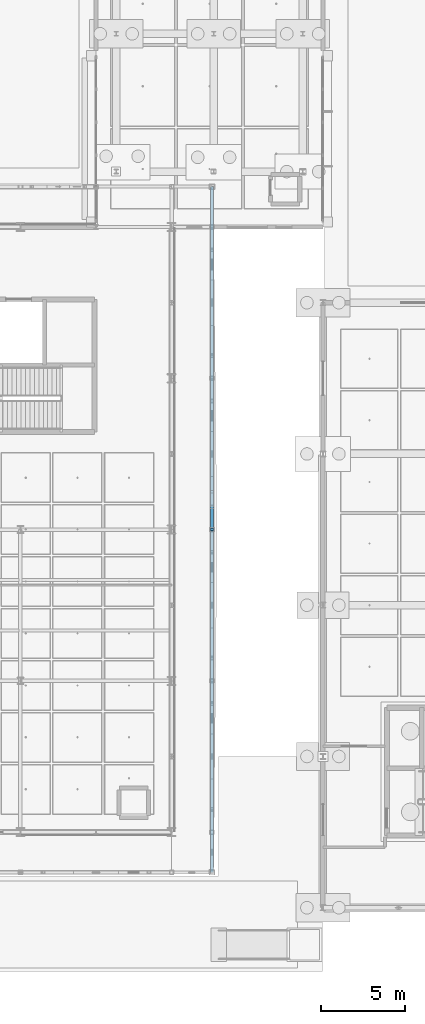
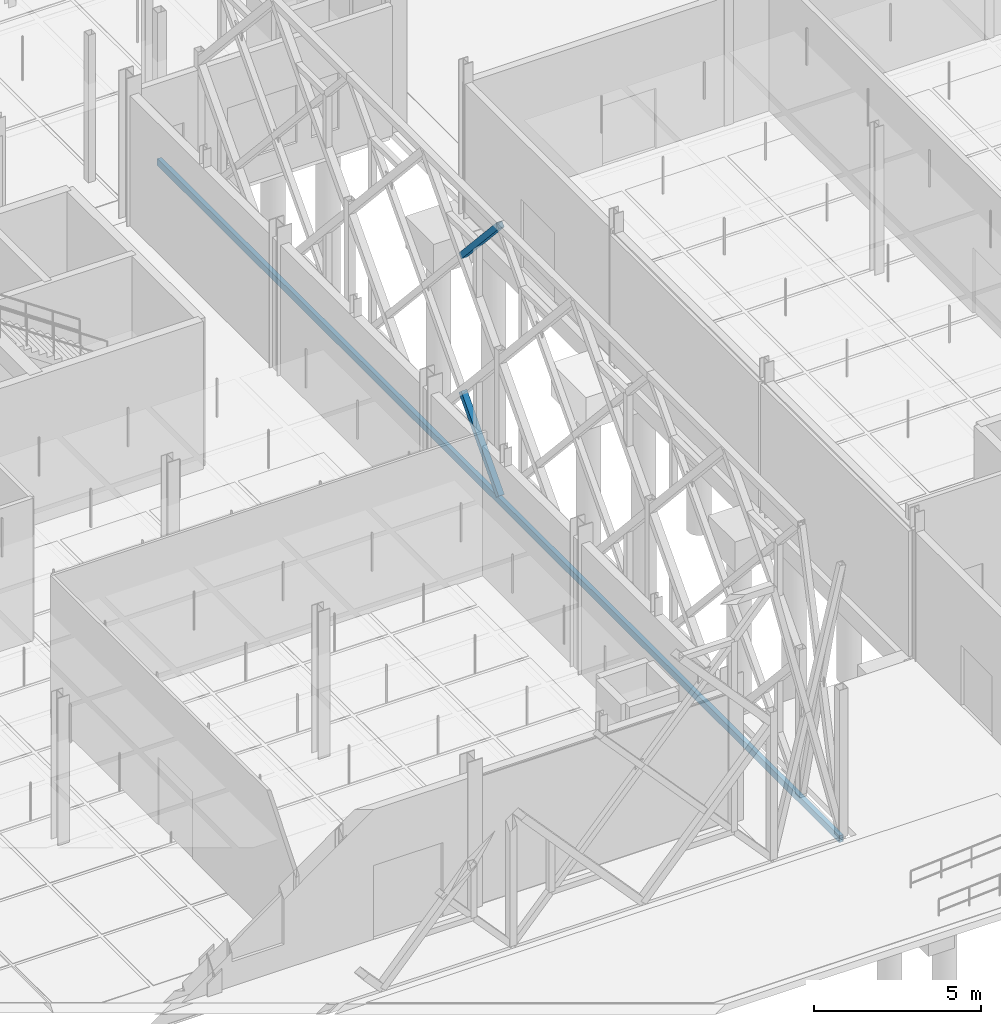
# One storey, part 41 of 180: 2 members, 1 beam.
"""IFC4 building model written with IfcOpenShell, lengths in metres."""

import ifcopenshell
import ifcopenshell.guid

model = None  # the IFC model being written
_history = None  # IfcOwnerHistory: only IFC2X3 demands one
_inside = {}  # id of a spatial element -> (the spatial element, [elements in it])
_under = {}  # id of a project, library or spatial element -> (it, [spatial elements below it])
_declared = {}  # id of a project -> (the project, [libraries it declares])
_typed = {}  # id of a type object -> (the type object, [elements of that type])
_made_of = {}  # id of a material, layer set ... -> (it, [elements and type objects made of it])


def new_model(schema):
    """Start an empty IFC model of exactly this schema.

    Asked for "IFC4X3", IfcOpenShell would pick the latest addendum, in which some entities
    have other attributes; the version numbers below select the first issue.
    IFC2X3 requires an IfcOwnerHistory on every rooted entity: one is made here for all.
    """
    global model, _history
    if schema == "IFC4X3":
        model = ifcopenshell.file(schema_version=(4, 3, 0, 0))
    else:
        model = ifcopenshell.file(schema=schema)
    _inside.clear()
    _under.clear()
    _declared.clear()
    _typed.clear()
    _made_of.clear()
    _history = None
    if model.schema == "IFC2X3":
        org = make("IfcOrganization", Name="unknown")
        user = make(
            "IfcPersonAndOrganization",
            ThePerson=make("IfcPerson", FamilyName="unknown"),
            TheOrganization=org,
        )
        app = make(
            "IfcApplication",
            ApplicationDeveloper=org,
            Version="unknown",
            ApplicationFullName="unknown",
            ApplicationIdentifier="unknown",
        )
        _history = make(
            "IfcOwnerHistory",
            OwningUser=user,
            OwningApplication=app,
            ChangeAction="ADDED",
            CreationDate=0,
        )
    return model


def make(cls, **values):
    """One entity of the class cls with the attributes given. An attribute that is None is left unset."""
    return model.create_entity(
        cls, **{name: value for name, value in values.items() if value is not None}
    )


def rooted(cls, **values):
    """An entity with a GlobalId (a new one), such as an element, a storey or a relation."""
    return make(cls, GlobalId=ifcopenshell.guid.new(), OwnerHistory=_history, **values)


def si_unit(unit_type, name, prefix=None):
    """IfcSIUnit, for example si_unit("LENGTHUNIT", "METRE", prefix="MILLI")."""
    return make("IfcSIUnit", UnitType=unit_type, Prefix=prefix, Name=name)


def assignment(units):
    """IfcUnitAssignment: the units of a project."""
    return None if units is None else make("IfcUnitAssignment", Units=units)


def point(xyz):
    """IfcCartesianPoint."""
    return None if xyz is None else make("IfcCartesianPoint", Coordinates=xyz)


def direction(xyz):
    """IfcDirection."""
    return None if xyz is None else make("IfcDirection", DirectionRatios=xyz)


def frame(location, z_axis=None, x_axis=None):
    """IfcAxis2Placement3D, a coordinate frame: its origin and axes. An axis left out is left unset."""
    return make(
        "IfcAxis2Placement3D",
        Location=point(location),
        Axis=direction(z_axis),
        RefDirection=direction(x_axis),
    )


def frame_2d(location, x_axis=None):
    """IfcAxis2Placement2D, a coordinate frame in the plane: its origin and x axis."""
    return make(
        "IfcAxis2Placement2D", Location=point(location), RefDirection=direction(x_axis)
    )


def origin():
    """The frame at (0, 0, 0) with its axes left unset."""
    return frame((0.0, 0.0, 0.0))


def origin_2d():
    """The frame at (0, 0) in the plane with its x axis left unset."""
    return frame_2d((0.0, 0.0))


def place(relative_to, where):
    """IfcLocalPlacement: puts the frame where relative to a parent placement (None: the world)."""
    return make(
        "IfcLocalPlacement", PlacementRelTo=relative_to, RelativePlacement=where
    )


def context(
    kind, dimensions, precision=None, world=None, true_north=None, identifier=None
):
    """IfcGeometricRepresentationContext, for example the 3D "Model" context."""
    return make(
        "IfcGeometricRepresentationContext",
        ContextIdentifier=identifier,
        ContextType=kind,
        CoordinateSpaceDimension=dimensions,
        Precision=precision,
        WorldCoordinateSystem=world,
        TrueNorth=true_north,
    )


def subcontext(parent, identifier, kind, view, scale=None):
    """IfcGeometricRepresentationSubContext, for example "Body" below "Model"."""
    return make(
        "IfcGeometricRepresentationSubContext",
        ContextIdentifier=identifier,
        ContextType=kind,
        ParentContext=parent,
        TargetScale=scale,
        TargetView=view,
    )


def project(units=None, contexts=None):
    """IfcProject with its units and contexts."""
    return rooted(
        "IfcProject",
        Name="project",
        RepresentationContexts=contexts,
        UnitsInContext=assignment(units),
    )


def spatial(cls, under=None, at=None, **own):
    """A site, building, storey or space (cls), placed at a placement, below another one or the project."""
    s = rooted(cls, ObjectPlacement=at, **own)
    if under is not None:
        _under.setdefault(under.id(), (under, []))[1].append(s)
    return s


def profile(cls, at=None, kind="AREA", **sizes):
    """A parametric profile (cls). Its sizes go by their IFC names, for example OverallWidth=200.0."""
    return make(cls, ProfileType=kind, Position=at, **sizes)


def hollow_rectangle(**sizes):
    """IfcRectangleHollowProfileDef."""
    return profile("IfcRectangleHollowProfileDef", **sizes)


def extrude(swept, where, along, depth):
    """IfcExtrudedAreaSolid: the profile swept, set in the frame where, extruded along a direction by depth."""
    return make(
        "IfcExtrudedAreaSolid",
        SweptArea=swept,
        Position=where,
        ExtrudedDirection=direction(along),
        Depth=depth,
    )


def shape(context_of_items, identifier, shape_type, items):
    """IfcShapeRepresentation: the items that make up one representation, for example the "Body"."""
    return make(
        "IfcShapeRepresentation",
        ContextOfItems=context_of_items,
        RepresentationIdentifier=identifier,
        RepresentationType=shape_type,
        Items=items,
    )


def material(Name=None, Category=None):
    """IfcMaterial."""
    return make("IfcMaterial", Name=Name, Category=Category)


def material_profile(
    of_material, cross_section, Name=None, Category=None, Priority=None
):
    """IfcMaterialProfile: a cross section and its material."""
    return make(
        "IfcMaterialProfile",
        Name=Name,
        Material=of_material,
        Profile=cross_section,
        Priority=Priority,
        Category=Category,
    )


def profile_set(profiles, Name=None, composite=None):
    """IfcMaterialProfileSet."""
    return make(
        "IfcMaterialProfileSet",
        Name=Name,
        MaterialProfiles=profiles,
        CompositeProfile=composite,
    )


def made_of(thing, what):
    """Note that an element or type object is made of a material, layer set ...; save() writes the relation."""
    if what is not None:
        _made_of.setdefault(what.id(), (what, []))[1].append(thing)
    return thing


def type_object(cls, material=None, **own):
    """A type object (cls), such as IfcWallType, which elements share."""
    return made_of(rooted(cls, **own), material)


def element(
    cls,
    number,
    at=None,
    inside=None,
    cuts=None,
    type_object=None,
    material=None,
    context=None,
    identifier="Body",
    shape_type=None,
    held_by="IfcProductDefinitionShape",
    body=None,
    shapes=None,
    **own,
):
    """One element of the class cls, such as IfcWall. Its Tag is "e" and its number.

    at: its placement. inside: the storey or other place that contains it. cuts: it is an
    opening in that element (IfcRelVoidsElement). A single representation is given by context,
    identifier, shape_type and body (its items); several are given by shapes. held_by: the class
    of the entity that holds the representations. save() writes the other relations.
    """
    e = rooted(cls, Tag="e%d" % number, ObjectPlacement=at, **own)
    if body is not None:
        shapes = [shape(context, identifier, shape_type, body)]
    if shapes is not None:
        e.Representation = make(held_by, Representations=shapes)
    if inside is not None:
        _inside.setdefault(inside.id(), (inside, []))[1].append(e)
    if cuts is not None:
        rooted(
            "IfcRelVoidsElement", RelatingBuildingElement=cuts, RelatedOpeningElement=e
        )
    if type_object is not None:
        _typed.setdefault(type_object.id(), (type_object, []))[1].append(e)
    return made_of(e, material)


def aggregate(whole, parts):
    """IfcRelAggregates: a whole, such as a stair, and the parts it consists of."""
    return rooted("IfcRelAggregates", RelatingObject=whole, RelatedObjects=parts)


def save(model, path):
    """Write the relations noted so far, then the file.

    IfcRelAggregates (storeys below a building ...), IfcRelContainedInSpatialStructure (elements
    in a storey), IfcRelDefinesByType, IfcRelAssociatesMaterial and IfcRelDeclares: one each for
    every whole, place, type object, material and project.
    """
    for whole, parts in _under.values():
        aggregate(whole, parts)
    for where, things in _inside.values():
        rooted(
            "IfcRelContainedInSpatialStructure",
            RelatedElements=things,
            RelatingStructure=where,
        )
    for kind, things in _typed.values():
        rooted("IfcRelDefinesByType", RelatedObjects=things, RelatingType=kind)
    for what, things in _made_of.values():
        rooted("IfcRelAssociatesMaterial", RelatedObjects=things, RelatingMaterial=what)
    for by, libraries in _declared.values():
        rooted("IfcRelDeclares", RelatingContext=by, RelatedDefinitions=libraries)
    model.write(path)


model = new_model("IFC4")

# Units and contexts
model_context = context("Model", 3, precision=1e-05, world=origin(), true_north=direction((0.0, 1.0)))
body_context = subcontext(model_context, "Body", "Model", "MODEL_VIEW")
ifc_project = project(units=[si_unit("LENGTHUNIT", "METRE"), si_unit("AREAUNIT", "SQUARE_METRE"), si_unit("VOLUMEUNIT", "CUBIC_METRE"), si_unit("PLANEANGLEUNIT", "RADIAN"), si_unit("MASSUNIT", "GRAM", prefix="KILO"), si_unit("THERMODYNAMICTEMPERATUREUNIT", "KELVIN"), si_unit("POWERUNIT", "WATT")], contexts=[model_context])

# Site, building, storey
site_placement = place(None, origin())
site = spatial("IfcSite", under=ifc_project, at=site_placement, CompositionType="ELEMENT")
building_placement = place(site_placement, origin())
building = spatial("IfcBuilding", under=site, at=building_placement, Name="Tallowbark Science Centre", CompositionType="ELEMENT")
storey_placement = place(building_placement, origin())
storey = spatial("IfcBuildingStorey", under=building, at=storey_placement, Name="L00", CompositionType="ELEMENT", Elevation=0.0)

# Members
ifc_material = material(Name="White Architectural Painted Steel Grade C350L0 (350 MPa)", Category="steel")
ifc_material_profile_1 = material_profile(ifc_material, hollow_rectangle(XDim=0.199951171875, YDim=0.199951171875, WallThickness=0.009033203125, at=origin_2d()), Name="200x200x9.0SHS")
ifc_profile_set_1 = profile_set([ifc_material_profile_1], Name="White Architectural Painted Steel Grade C350L0 (350 MPa)")
member_type = type_object("IfcMemberType", Name="SCR-STAR139", PredefinedType="BRACE", material=ifc_profile_set_1)
member_1_placement = place(storey_placement, frame((105.89990234375, 22.5, 0.0), z_axis=(0.0, 0.672658262301, 0.739953283768), x_axis=(-1.0, 0.0, 0.0)))
element("IfcMember", 1, at=member_1_placement, inside=storey, type_object=member_type, Name="Star Screen Continuous X-Diagonal D1A E-14", PredefinedType="BRACE", context=body_context, shape_type="SweptSolid", body=[
    extrude(hollow_rectangle(XDim=0.199951171875, YDim=0.199951171875, WallThickness=0.009033203125, at=origin_2d()), origin(), (0.0, 0.0, 1.0), 3.344970703125),
])
member_2_placement = place(storey_placement, frame((105.89990234375, 22.5, 9.89990234375), z_axis=(0.0, 0.672694592231, -0.739920256233), x_axis=(-1.0, 0.0, 0.0)))
element("IfcMember", 2, at=member_2_placement, inside=storey, type_object=member_type, Name="Star Screen Split X-Diagonal D2A E-14", PredefinedType="BRACE", context=body_context, shape_type="SweptSolid", body=[
    extrude(hollow_rectangle(XDim=0.199951171875, YDim=0.199951171875, WallThickness=0.009033203125, at=origin_2d()), origin(), (0.0, 0.0, 1.0), 3.3447265625),
])

# Beam
ifc_material_profile_2 = material_profile(ifc_material, hollow_rectangle(XDim=0.14990234375, YDim=0.25, WallThickness=0.009033203125, at=origin_2d()), Name="250x150x9.0RHS")
ifc_profile_set_2 = profile_set([ifc_material_profile_2], Name="White Architectural Painted Steel Grade C350L0 (350 MPa)")
beam_type = type_object("IfcBeamType", Name="SPN-RHS250", PredefinedType="SPANDREL", material=ifc_profile_set_2)
beam_placement = place(storey_placement, frame((105.89990234375, 2.10009765625, -0.14990234375), z_axis=(0.0, 1.0, 0.0), x_axis=(-1.0, 0.0, 0.0)))
element("IfcBeam", 3, at=beam_placement, inside=storey, type_object=beam_type, Name="Star Screen Perimeter Ring Beam E-L00", PredefinedType="SPANDREL", context=body_context, shape_type="SweptSolid", body=[
    extrude(hollow_rectangle(XDim=0.14990234375, YDim=0.25, WallThickness=0.009033203125, at=origin_2d()), origin(), (0.0, 0.0, 1.0), 40.7998046875),
])

save(model, "model.ifc")
